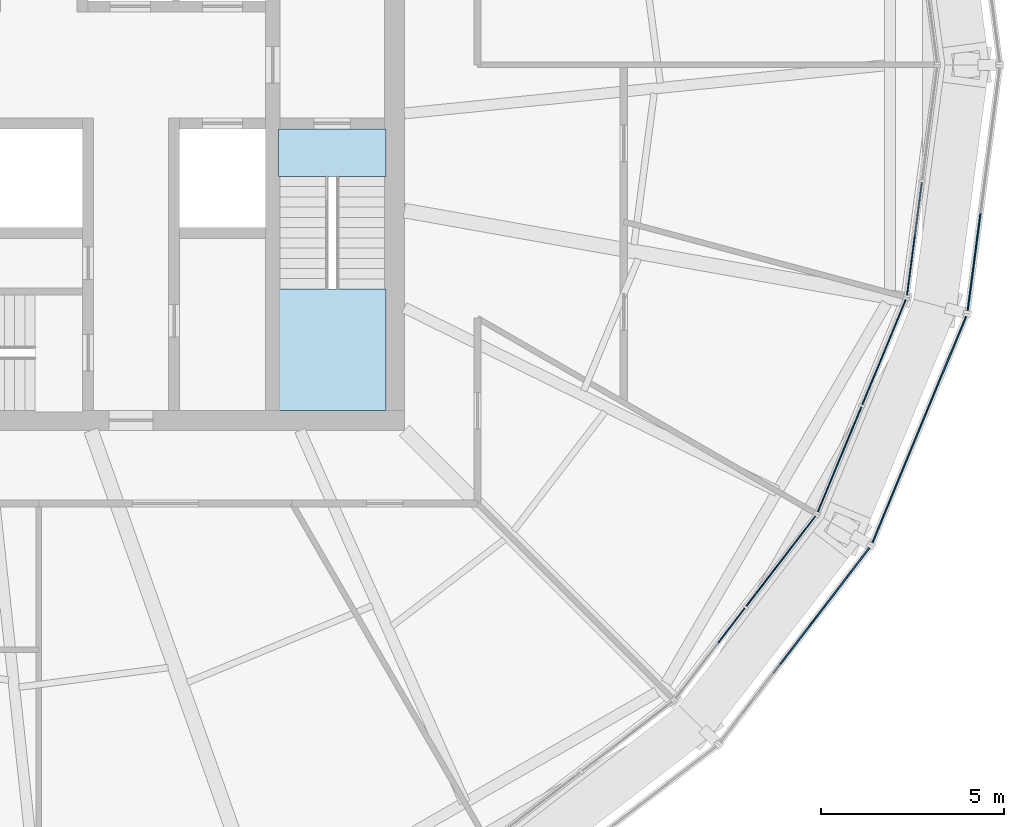
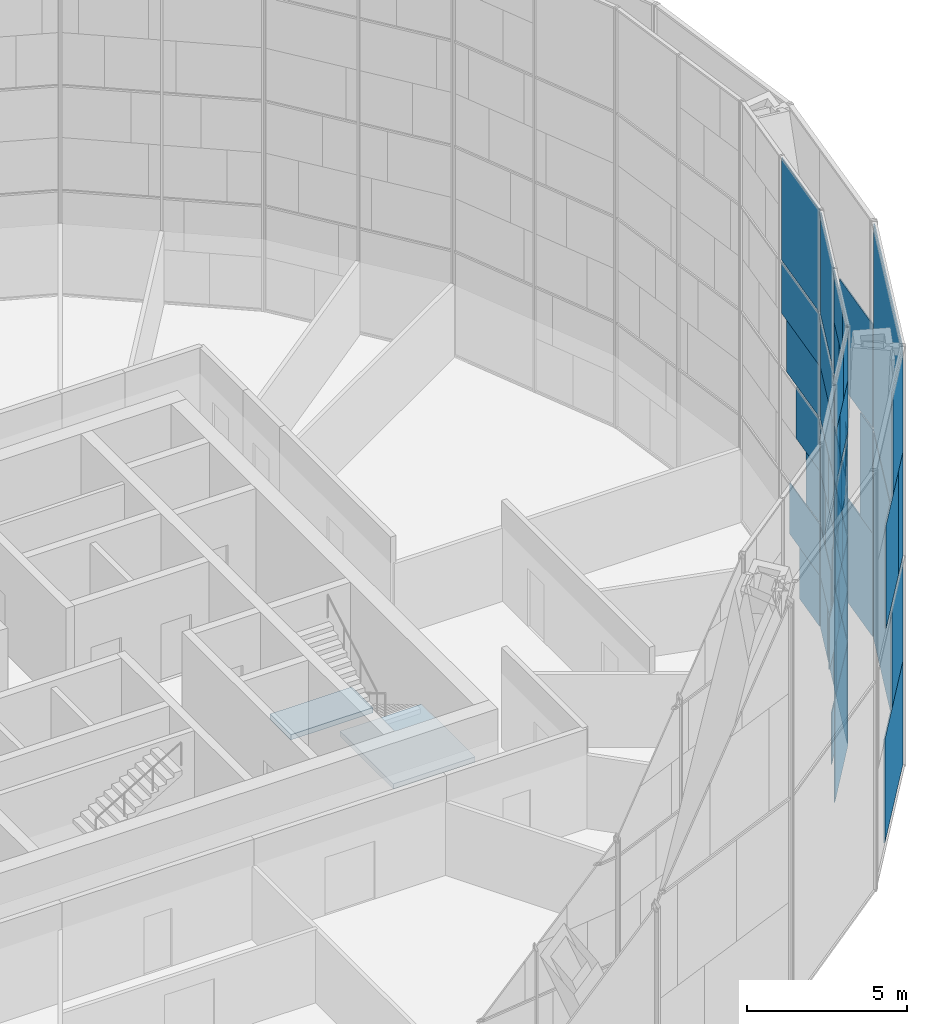
# One storey, part 19 of 30: 59 plates, 2 slabs, 7 elements without a shape of their own.
"""IFC4 building model written with IfcOpenShell, lengths in metres."""

from ifc_helpers import new_model, si_unit, direction, frame, origin, origin_2d, place, context, subcontext, project, spatial, polyline, rectangle, outline, extrude, material, layer, layer_set, type_object, element, aggregate, save


model = new_model("IFC4")

# Units and contexts
model_context = context("Model", 3, precision=1e-05, world=origin(), true_north=direction((0.0, 1.0)))
body_context = subcontext(model_context, "Body", "Model", "MODEL_VIEW")
ifc_project = project(units=[si_unit("LENGTHUNIT", "METRE"), si_unit("AREAUNIT", "SQUARE_METRE"), si_unit("VOLUMEUNIT", "CUBIC_METRE"), si_unit("PLANEANGLEUNIT", "RADIAN"), si_unit("MASSUNIT", "GRAM", prefix="KILO")], contexts=[model_context])

# Site, building, storey
site_placement = place(None, origin())
site = spatial("IfcSite", under=ifc_project, at=site_placement, CompositionType="ELEMENT")
building_placement = place(site_placement, origin())
building = spatial("IfcBuilding", under=site, at=building_placement, Name="Golbaran Civic Tower", CompositionType="ELEMENT")
storey_placement = place(building_placement, frame((0.0, 0.0, 102.0)))
storey = spatial("IfcBuildingStorey", under=building, at=storey_placement, Name="L24", CompositionType="ELEMENT", Elevation=102.0)

# Curtain wall, plates
ifc_material_1 = material(Name="Aluminium and glass", Category="aluminium")
curtain_wall_type_1 = type_object("IfcCurtainWallType", Name="INNER SKIN CURTAIN WALL", PredefinedType="NOTDEFINED", material=ifc_material_1)
curtain_wall_1_placement = place(storey_placement, origin())
curtain_wall_1 = element("IfcCurtainWall", 1, at=curtain_wall_1_placement, inside=storey, type_object=curtain_wall_type_1, Name="Inner skin L24 facet 22 CW1", ObjectType="INNER SKIN", PredefinedType="USERDEFINED")
ifc_material_2 = material(Name="Clear insulating glass", Category="glass")
ifc_layer_1 = layer(ifc_material_2, 0.031982421875, Name="Clear insulating glass")
ifc_layer_set_1 = layer_set([ifc_layer_1], Name="Clear insulating glass")
plate_type_1 = type_object("IfcPlateType", Name="INNER SKIN CURTAIN WALL GLAZED PANEL", PredefinedType="CURTAIN_PANEL", material=ifc_layer_set_1)
plate_1_placement = place(storey_placement, frame((19.114013671875, -15.118408203125, 2.016357421875), z_axis=(0.0, 0.0, 1.0), x_axis=(0.608761428995, 0.793353340302, 0.0)))
plate_1 = element("IfcPlate", 2, at=plate_1_placement, type_object=plate_type_1, Name="CW1 panel 1.1 part 4", PredefinedType="CURTAIN_PANEL", context=body_context, shape_type="SweptSolid", body=[
    extrude(rectangle(XDim=0.651611328125, YDim=0.031982421875, at=origin_2d()), origin(), (0.0, 0.0, 1.0), 1.951171875),
])
plate_2_placement = place(storey_placement, frame((20.298828125, -13.574462890625, 0.06494140625), z_axis=(0.0, 0.0, 1.0), x_axis=(0.608761428995, 0.793353340302, 0.0)))
plate_2 = element("IfcPlate", 3, at=plate_2_placement, type_object=plate_type_1, Name="CW1 panel 2.1", PredefinedType="CURTAIN_PANEL", context=body_context, shape_type="SweptSolid", body=[
    extrude(rectangle(XDim=3.110595703125, YDim=0.031982421875, at=origin_2d()), origin(), (0.0, 0.0, 1.0), 3.902587890625),
])
plate_3_placement = place(storey_placement, frame((20.4208984375, -13.415283203125, 4.03271484375), z_axis=(0.0, 0.0, 1.0), x_axis=(0.608761428995, 0.793353340302, 0.0)))
plate_3 = element("IfcPlate", 4, at=plate_3_placement, type_object=plate_type_1, Name="CW1 panel 2.2 part 2", PredefinedType="CURTAIN_PANEL", context=body_context, shape_type="SweptSolid", body=[
    extrude(rectangle(XDim=2.70947265625, YDim=0.031982421875, at=origin_2d()), origin(), (0.0, 0.0, 1.0), 1.967529296875),
])
plate_4_placement = place(storey_placement, frame((20.5849609375, -13.20166015625, 6.0), z_axis=(0.0, 0.0, 1.0), x_axis=(0.608761428995, 0.793353340302, 0.0)))
plate_4 = element("IfcPlate", 5, at=plate_4_placement, type_object=plate_type_1, Name="CW1 panel 2.2 part 4", PredefinedType="CURTAIN_PANEL", context=body_context, shape_type="SweptSolid", body=[
    extrude(rectangle(XDim=2.170654296875, YDim=0.031982421875, at=origin_2d()), origin(), (0.0, 0.0, 1.0), 1.967529296875),
])
plate_5_placement = place(storey_placement, frame((20.84130859375, -12.86767578125, 8.03271484375), z_axis=(0.0, 0.0, 1.0), x_axis=(0.608761428995, 0.793353340302, 0.0)))
plate_5 = element("IfcPlate", 6, at=plate_5_placement, type_object=plate_type_1, Name="CW1 panel 2.3 part 2", PredefinedType="CURTAIN_PANEL", context=body_context, shape_type="SweptSolid", body=[
    extrude(rectangle(XDim=1.32861328125, YDim=0.031982421875, at=origin_2d()), origin(), (0.0, 0.0, 1.0), 1.967529296875),
])
plate_6_placement = place(storey_placement, frame((19.473876953125, -14.649658203125, 10.0), z_axis=(0.0, 0.0, 1.0), x_axis=(0.608761428995, 0.793353340302, 0.0)))
plate_6 = element("IfcPlate", 7, at=plate_6_placement, type_object=plate_type_1, Name="CW1 panel 2.3 part 3", PredefinedType="CURTAIN_PANEL", context=body_context, shape_type="SweptSolid", body=[
    extrude(rectangle(XDim=0.39990234375, YDim=0.031982421875, at=origin_2d()), origin(), (0.0, 0.0, 1.0), 1.967529296875),
])
plate_7_placement = place(storey_placement, frame((21.08935546875, -12.544189453125, 10.0), z_axis=(0.0, 0.0, 1.0), x_axis=(0.608761428995, 0.793353340302, 0.0)))
plate_7 = element("IfcPlate", 8, at=plate_7_placement, type_object=plate_type_1, Name="CW1 panel 2.3 part 5", PredefinedType="CURTAIN_PANEL", context=body_context, shape_type="SweptSolid", body=[
    extrude(rectangle(XDim=0.513671875, YDim=0.031982421875, at=origin_2d()), origin(), (0.0, 0.0, 1.0), 1.967529296875),
])
plate_8_placement = place(storey_placement, frame((19.72998046875, -14.315673828125, 12.032470703125), z_axis=(0.0, 0.0, 1.0), x_axis=(0.608761428995, 0.793353340302, 0.0)))
plate_8 = element("IfcPlate", 9, at=plate_8_placement, type_object=plate_type_1, Name="CW1 panel 2.4 part 1", PredefinedType="CURTAIN_PANEL", context=body_context, shape_type="SweptSolid", body=[
    extrude(rectangle(XDim=1.241943359375, YDim=0.031982421875, at=origin_2d()), origin(), (0.0, 0.0, 1.0), 1.951171875),
])
plate_9_placement = place(storey_placement, frame((19.97607421875, -13.9951171875, 13.98388671875), z_axis=(0.0, 0.0, 1.0), x_axis=(0.608761428995, 0.793353340302, 0.0)))
plate_9 = element("IfcPlate", 10, at=plate_9_placement, type_object=plate_type_1, Name="CW1 panel 2.4 part 3", PredefinedType="CURTAIN_PANEL", context=body_context, shape_type="SweptSolid", body=[
    extrude(rectangle(XDim=2.050048828125, YDim=0.031982421875, at=origin_2d()), origin(), (0.0, 0.0, 1.0), 1.951171875),
])

curtain_wall_2_placement = place(storey_placement, origin())
curtain_wall_2 = element("IfcCurtainWall", 11, at=curtain_wall_2_placement, inside=storey, type_object=curtain_wall_type_1, Name="Inner skin L24 facet 23 CW1", ObjectType="INNER SKIN", PredefinedType="USERDEFINED")
plate_10_placement = place(storey_placement, frame((21.9052734375, -10.7919921875, 0.06494140625), z_axis=(0.0, 0.0, 1.0), x_axis=(0.382683432478, 0.923879532465, 0.0)))
plate_10 = element("IfcPlate", 12, at=plate_10_placement, type_object=plate_type_1, Name="CW1 panel 1.1", PredefinedType="CURTAIN_PANEL", context=body_context, shape_type="SweptSolid", body=[
    extrude(rectangle(XDim=3.110595703125, YDim=0.031982421875, at=origin_2d()), origin(), (0.0, 0.0, 1.0), 3.902587890625),
])
plate_11_placement = place(storey_placement, frame((21.828369140625, -10.9775390625, 4.03271484375), z_axis=(0.0, 0.0, 1.0), x_axis=(0.382683432478, 0.923879532465, 0.0)))
plate_11 = element("IfcPlate", 13, at=plate_11_placement, type_object=plate_type_1, Name="CW1 panel 1.2 part 1", PredefinedType="CURTAIN_PANEL", context=body_context, shape_type="SweptSolid", body=[
    extrude(rectangle(XDim=2.708984375, YDim=0.031982421875, at=origin_2d()), origin(), (0.0, 0.0, 1.0), 1.967529296875),
])
plate_12_placement = place(storey_placement, frame((21.725341796875, -11.22607421875, 6.0), z_axis=(0.0, 0.0, 1.0), x_axis=(0.382683432478, 0.923879532465, 0.0)))
plate_12 = element("IfcPlate", 14, at=plate_12_placement, type_object=plate_type_1, Name="CW1 panel 1.2 part 3", PredefinedType="CURTAIN_PANEL", context=body_context, shape_type="SweptSolid", body=[
    extrude(rectangle(XDim=2.1708984375, YDim=0.031982421875, at=origin_2d()), origin(), (0.0, 0.0, 1.0), 1.967529296875),
])
plate_13_placement = place(storey_placement, frame((21.564453125, -11.614990234375, 8.03271484375), z_axis=(0.0, 0.0, 1.0), x_axis=(0.382683432478, 0.923879532465, 0.0)))
plate_13 = element("IfcPlate", 15, at=plate_13_placement, type_object=plate_type_1, Name="CW1 panel 1.3 part 1", PredefinedType="CURTAIN_PANEL", context=body_context, shape_type="SweptSolid", body=[
    extrude(rectangle(XDim=1.3291015625, YDim=0.031982421875, at=origin_2d()), origin(), (0.0, 0.0, 1.0), 1.967529296875),
])
plate_14_placement = place(storey_placement, frame((21.408447265625, -11.991455078125, 10.0), z_axis=(0.0, 0.0, 1.0), x_axis=(0.382683432478, 0.923879532465, 0.0)))
plate_14 = element("IfcPlate", 16, at=plate_14_placement, type_object=plate_type_1, Name="CW1 panel 1.3 part 3", PredefinedType="CURTAIN_PANEL", context=body_context, shape_type="SweptSolid", body=[
    extrude(rectangle(XDim=0.513916015625, YDim=0.031982421875, at=origin_2d()), origin(), (0.0, 0.0, 1.0), 1.967529296875),
])
plate_15_placement = place(storey_placement, frame((22.262939453125, -9.9287109375, 12.032470703125), z_axis=(0.0, 0.0, 1.0), x_axis=(0.382683432478, 0.923879532465, 0.0)))
plate_15 = element("IfcPlate", 17, at=plate_15_placement, type_object=plate_type_1, Name="CW1 panel 1.4 part 2", PredefinedType="CURTAIN_PANEL", context=body_context, shape_type="SweptSolid", body=[
    extrude(rectangle(XDim=1.241455078125, YDim=0.031982421875, at=origin_2d()), origin(), (0.0, 0.0, 1.0), 1.951171875),
])
plate_16_placement = place(storey_placement, frame((22.108154296875, -10.302001953125, 13.98388671875), z_axis=(0.0, 0.0, 1.0), x_axis=(0.382683432478, 0.923879532465, 0.0)))
plate_16 = element("IfcPlate", 18, at=plate_16_placement, type_object=plate_type_1, Name="CW1 panel 1.4 part 4", PredefinedType="CURTAIN_PANEL", context=body_context, shape_type="SweptSolid", body=[
    extrude(rectangle(XDim=2.049560546875, YDim=0.031982421875, at=origin_2d()), origin(), (0.0, 0.0, 1.0), 1.951171875),
])
plate_17_placement = place(storey_placement, frame((22.8046875, -8.62060546875, 0.06494140625), z_axis=(0.0, 0.0, 1.0), x_axis=(0.382683432478, 0.923879532465, 0.0)))
plate_17 = element("IfcPlate", 19, at=plate_17_placement, type_object=plate_type_1, Name="CW1 panel 2.1 part 1", PredefinedType="CURTAIN_PANEL", context=body_context, shape_type="SweptSolid", body=[
    extrude(rectangle(XDim=1.4599609375, YDim=0.031982421875, at=origin_2d()), origin(), (0.0, 0.0, 1.0), 1.951171875),
])
plate_18_placement = place(storey_placement, frame((22.650146484375, -8.993896484375, 2.016357421875), z_axis=(0.0, 0.0, 1.0), x_axis=(0.382683432478, 0.923879532465, 0.0)))
plate_18 = element("IfcPlate", 20, at=plate_18_placement, type_object=plate_type_1, Name="CW1 panel 2.1 part 3", PredefinedType="CURTAIN_PANEL", context=body_context, shape_type="SweptSolid", body=[
    extrude(rectangle(XDim=0.652099609375, YDim=0.031982421875, at=origin_2d()), origin(), (0.0, 0.0, 1.0), 1.951171875),
])
plate_19_placement = place(storey_placement, frame((23.50439453125, -6.93115234375, 4.03271484375), z_axis=(0.0, 0.0, 1.0), x_axis=(0.382683432478, 0.923879532465, 0.0)))
plate_19 = element("IfcPlate", 21, at=plate_19_placement, type_object=plate_type_1, Name="CW1 panel 2.2 part 2", PredefinedType="CURTAIN_PANEL", context=body_context, shape_type="SweptSolid", body=[
    extrude(rectangle(XDim=1.103515625, YDim=0.031982421875, at=origin_2d()), origin(), (0.0, 0.0, 1.0), 1.967529296875),
])
plate_20_placement = place(storey_placement, frame((23.3486328125, -7.3076171875, 6.0), z_axis=(0.0, 0.0, 1.0), x_axis=(0.382683432478, 0.923879532465, 0.0)))
plate_20 = element("IfcPlate", 22, at=plate_20_placement, type_object=plate_type_1, Name="CW1 panel 2.2 part 4", PredefinedType="CURTAIN_PANEL", context=body_context, shape_type="SweptSolid", body=[
    extrude(rectangle(XDim=1.91845703125, YDim=0.031982421875, at=origin_2d()), origin(), (0.0, 0.0, 1.0), 1.967529296875),
])
plate_21_placement = place(storey_placement, frame((23.197021484375, -7.67333984375, 8.03271484375), z_axis=(0.0, 0.0, 1.0), x_axis=(0.382683432478, 0.923879532465, 0.0)))
plate_21 = element("IfcPlate", 23, at=plate_21_placement, type_object=plate_type_1, Name="CW1 panel 2.3 part 2", PredefinedType="CURTAIN_PANEL", context=body_context, shape_type="SweptSolid", body=[
    extrude(rectangle(XDim=2.710693359375, YDim=0.031982421875, at=origin_2d()), origin(), (0.0, 0.0, 1.0), 1.967529296875),
])
plate_22_placement = place(storey_placement, frame((23.120361328125, -7.858154296875, 10.0), z_axis=(0.0, 0.0, 1.0), x_axis=(0.382683432478, 0.923879532465, 0.0)))
plate_22 = element("IfcPlate", 24, at=plate_22_placement, type_object=plate_type_1, Name="CW1 panel 2.3 part 3", PredefinedType="CURTAIN_PANEL", context=body_context, shape_type="SweptSolid", body=[
    extrude(rectangle(XDim=3.110595703125, YDim=0.031982421875, at=origin_2d()), origin(), (0.0, 0.0, 1.0), 1.967529296875),
])
plate_23_placement = place(storey_placement, frame((23.120361328125, -7.858154296875, 12.0322265625), z_axis=(0.0, 0.0, 1.0), x_axis=(0.382683432478, 0.923879532465, 0.0)))
plate_23 = element("IfcPlate", 25, at=plate_23_placement, type_object=plate_type_1, Name="CW1 panel 2.4", PredefinedType="CURTAIN_PANEL", context=body_context, shape_type="SweptSolid", body=[
    extrude(rectangle(XDim=3.110595703125, YDim=0.031982421875, at=origin_2d()), origin(), (0.0, 0.0, 1.0), 3.902587890625),
])

curtain_wall_3_placement = place(storey_placement, origin())
curtain_wall_3 = element("IfcCurtainWall", 26, at=curtain_wall_3_placement, inside=storey, type_object=curtain_wall_type_1, Name="Inner skin L24 facet 24 CW1", ObjectType="INNER SKIN", PredefinedType="USERDEFINED")
plate_24_placement = place(storey_placement, frame((23.821044921875, -5.74951171875, 4.03271484375), z_axis=(0.0, 0.0, 1.0), x_axis=(0.130526192134, 0.991444861385, 0.0)))
plate_24 = element("IfcPlate", 27, at=plate_24_placement, type_object=plate_type_1, Name="CW1 panel 1.2 part 1", PredefinedType="CURTAIN_PANEL", context=body_context, shape_type="SweptSolid", body=[
    extrude(rectangle(XDim=1.10400390625, YDim=0.031982421875, at=origin_2d()), origin(), (0.0, 0.0, 1.0), 1.967529296875),
])
plate_25_placement = place(storey_placement, frame((23.874267578125, -5.345458984375, 6.0), z_axis=(0.0, 0.0, 1.0), x_axis=(0.130526192134, 0.991444861385, 0.0)))
plate_25 = element("IfcPlate", 28, at=plate_25_placement, type_object=plate_type_1, Name="CW1 panel 1.2 part 3", PredefinedType="CURTAIN_PANEL", context=body_context, shape_type="SweptSolid", body=[
    extrude(rectangle(XDim=1.9189453125, YDim=0.031982421875, at=origin_2d()), origin(), (0.0, 0.0, 1.0), 1.967529296875),
])
plate_26_placement = place(storey_placement, frame((23.92578125, -4.953857421875, 8.03271484375), z_axis=(0.0, 0.0, 1.0), x_axis=(0.130526192134, 0.991444861385, 0.0)))
plate_26 = element("IfcPlate", 29, at=plate_26_placement, type_object=plate_type_1, Name="CW1 panel 1.3 part 1", PredefinedType="CURTAIN_PANEL", context=body_context, shape_type="SweptSolid", body=[
    extrude(rectangle(XDim=2.708984375, YDim=0.031982421875, at=origin_2d()), origin(), (0.0, 0.0, 1.0), 1.967529296875),
])
plate_27_placement = place(storey_placement, frame((23.951904296875, -4.7548828125, 10.0), z_axis=(0.0, 0.0, 1.0), x_axis=(0.130526192134, 0.991444861385, 0.0)))
plate_27 = element("IfcPlate", 30, at=plate_27_placement, type_object=plate_type_1, Name="CW1 panel 1.3 part 3", PredefinedType="CURTAIN_PANEL", context=body_context, shape_type="SweptSolid", body=[
    extrude(rectangle(XDim=3.110595703125, YDim=0.031982421875, at=origin_2d()), origin(), (0.0, 0.0, 1.0), 1.967529296875),
])
plate_28_placement = place(storey_placement, frame((23.951904296875, -4.7548828125, 12.0322265625), z_axis=(0.0, 0.0, 1.0), x_axis=(0.130526192134, 0.991444861385, 0.0)))
plate_28 = element("IfcPlate", 31, at=plate_28_placement, type_object=plate_type_1, Name="CW1 panel 1.4", PredefinedType="CURTAIN_PANEL", context=body_context, shape_type="SweptSolid", body=[
    extrude(rectangle(XDim=3.110595703125, YDim=0.031982421875, at=origin_2d()), origin(), (0.0, 0.0, 1.0), 3.902587890625),
])

# Plate
ifc_material_3 = material(Name="Aluminium faced opaque infill panel", Category="aluminium")
ifc_layer_2 = layer(ifc_material_3, 0.031982421875, Name="Aluminium faced opaque infill panel")
ifc_layer_set_2 = layer_set([ifc_layer_2], Name="Aluminium faced opaque infill panel")
plate_type_2 = type_object("IfcPlateType", Name="INNER SKIN CURTAIN WALL OPAQUE INFILL PANEL", PredefinedType="CURTAIN_PANEL", material=ifc_layer_set_2)
plate_29_placement = place(storey_placement, frame((18.94970703125, -15.33251953125, 6.0), z_axis=(0.0, 0.0, 1.0), x_axis=(0.608761428995, 0.793353340302, 0.0)))
plate_29 = element("IfcPlate", 32, at=plate_29_placement, type_object=plate_type_2, Name="CW1 infill panel 1.2 part 4", PredefinedType="CURTAIN_PANEL", context=body_context, shape_type="SweptSolid", body=[
    extrude(rectangle(XDim=1.191650390625, YDim=0.031982421875, at=origin_2d()), origin(), (0.0, 0.0, 1.0), 1.967529296875),
])

plate_30_placement = place(storey_placement, frame((19.190185546875, -15.019287109375, 8.03271484375), z_axis=(0.0, 0.0, 1.0), x_axis=(0.608761428995, 0.793353340302, 0.0)))
plate_30 = element("IfcPlate", 33, at=plate_30_placement, type_object=plate_type_2, Name="CW1 infill panel 1.3 part 2", PredefinedType="CURTAIN_PANEL", context=body_context, shape_type="SweptSolid", body=[
    extrude(rectangle(XDim=0.401611328125, YDim=0.031982421875, at=origin_2d()), origin(), (0.0, 0.0, 1.0), 1.967529296875),
])

plate_31_placement = place(storey_placement, frame((19.47412109375, -14.649169921875, 4.03271484375), z_axis=(0.0, 0.0, 1.0), x_axis=(0.608761428995, 0.793353340302, 0.0)))
plate_31 = element("IfcPlate", 34, at=plate_31_placement, type_object=plate_type_2, Name="CW1 infill panel 2.2 part 1", PredefinedType="CURTAIN_PANEL", context=body_context, shape_type="SweptSolid", body=[
    extrude(rectangle(XDim=0.40087890625, YDim=0.031982421875, at=origin_2d()), origin(), (0.0, 0.0, 1.0), 1.967529296875),
])

plate_32_placement = place(storey_placement, frame((19.63818359375, -14.435546875, 6.0), z_axis=(0.0, 0.0, 1.0), x_axis=(0.608761428995, 0.793353340302, 0.0)))
plate_32 = element("IfcPlate", 35, at=plate_32_placement, type_object=plate_type_2, Name="CW1 infill panel 2.2 part 3", PredefinedType="CURTAIN_PANEL", context=body_context, shape_type="SweptSolid", body=[
    extrude(rectangle(XDim=0.93994140625, YDim=0.031982421875, at=origin_2d()), origin(), (0.0, 0.0, 1.0), 1.967529296875),
])

plate_33_placement = place(storey_placement, frame((19.89453125, -14.1015625, 8.03271484375), z_axis=(0.0, 0.0, 1.0), x_axis=(0.608761428995, 0.793353340302, 0.0)))
plate_33 = element("IfcPlate", 36, at=plate_33_placement, type_object=plate_type_2, Name="CW1 infill panel 2.3 part 1", PredefinedType="CURTAIN_PANEL", context=body_context, shape_type="SweptSolid", body=[
    extrude(rectangle(XDim=1.781982421875, YDim=0.031982421875, at=origin_2d()), origin(), (0.0, 0.0, 1.0), 1.967529296875),
])

plate_34_placement = place(storey_placement, frame((20.26416015625, -13.61962890625, 10.0), z_axis=(0.0, 0.0, 1.0), x_axis=(0.608761428995, 0.793353340302, 0.0)))
plate_34 = element("IfcPlate", 37, at=plate_34_placement, type_object=plate_type_2, Name="CW1 infill panel 2.3 part 4", PredefinedType="CURTAIN_PANEL", context=body_context, shape_type="SweptSolid", body=[
    extrude(rectangle(XDim=2.197021484375, YDim=0.031982421875, at=origin_2d()), origin(), (0.0, 0.0, 1.0), 1.967529296875),
])

plate_35_placement = place(storey_placement, frame((20.6767578125, -13.081787109375, 12.032470703125), z_axis=(0.0, 0.0, 1.0), x_axis=(0.608761428995, 0.793353340302, 0.0)))
plate_35 = element("IfcPlate", 38, at=plate_35_placement, type_object=plate_type_2, Name="CW1 infill panel 2.4 part 2", PredefinedType="CURTAIN_PANEL", context=body_context, shape_type="SweptSolid", body=[
    extrude(rectangle(XDim=1.86865234375, YDim=0.031982421875, at=origin_2d()), origin(), (0.0, 0.0, 1.0), 1.951171875),
])

plate_36_placement = place(storey_placement, frame((20.9228515625, -12.76123046875, 13.98388671875), z_axis=(0.0, 0.0, 1.0), x_axis=(0.608761428995, 0.793353340302, 0.0)))
plate_36 = element("IfcPlate", 39, at=plate_36_placement, type_object=plate_type_2, Name="CW1 infill panel 2.4 part 4", PredefinedType="CURTAIN_PANEL", context=body_context, shape_type="SweptSolid", body=[
    extrude(rectangle(XDim=1.060546875, YDim=0.031982421875, at=origin_2d()), origin(), (0.0, 0.0, 1.0), 1.951171875),
])

aggregate(curtain_wall_1, [plate_1, plate_29, plate_30, plate_2, plate_31, plate_3, plate_32, plate_4, plate_33, plate_5, plate_6, plate_34, plate_7, plate_8, plate_35, plate_9, plate_36])

plate_37_placement = place(storey_placement, frame((22.423583984375, -9.540771484375, 4.03271484375), z_axis=(0.0, 0.0, 1.0), x_axis=(0.382683432478, 0.923879532465, 0.0)))
plate_37 = element("IfcPlate", 40, at=plate_37_placement, type_object=plate_type_2, Name="CW1 infill panel 1.2 part 2", PredefinedType="CURTAIN_PANEL", context=body_context, shape_type="SweptSolid", body=[
    extrude(rectangle(XDim=0.401611328125, YDim=0.031982421875, at=origin_2d()), origin(), (0.0, 0.0, 1.0), 1.967529296875),
])

plate_38_placement = place(storey_placement, frame((22.320556640625, -9.7890625, 6.0), z_axis=(0.0, 0.0, 1.0), x_axis=(0.382683432478, 0.923879532465, 0.0)))
plate_38 = element("IfcPlate", 41, at=plate_38_placement, type_object=plate_type_2, Name="CW1 infill panel 1.2 part 4", PredefinedType="CURTAIN_PANEL", context=body_context, shape_type="SweptSolid", body=[
    extrude(rectangle(XDim=0.939453125, YDim=0.031982421875, at=origin_2d()), origin(), (0.0, 0.0, 1.0), 1.967529296875),
])

plate_39_placement = place(storey_placement, frame((22.159423828125, -10.17822265625, 8.03271484375), z_axis=(0.0, 0.0, 1.0), x_axis=(0.382683432478, 0.923879532465, 0.0)))
plate_39 = element("IfcPlate", 42, at=plate_39_placement, type_object=plate_type_2, Name="CW1 infill panel 1.3 part 2", PredefinedType="CURTAIN_PANEL", context=body_context, shape_type="SweptSolid", body=[
    extrude(rectangle(XDim=1.781494140625, YDim=0.031982421875, at=origin_2d()), origin(), (0.0, 0.0, 1.0), 1.967529296875),
])

plate_40_placement = place(storey_placement, frame((22.003662109375, -10.5546875, 10.0), z_axis=(0.0, 0.0, 1.0), x_axis=(0.382683432478, 0.923879532465, 0.0)))
plate_40 = element("IfcPlate", 43, at=plate_40_placement, type_object=plate_type_2, Name="CW1 infill panel 1.3 part 4", PredefinedType="CURTAIN_PANEL", context=body_context, shape_type="SweptSolid", body=[
    extrude(rectangle(XDim=2.5966796875, YDim=0.031982421875, at=origin_2d()), origin(), (0.0, 0.0, 1.0), 1.967529296875),
])

plate_41_placement = place(storey_placement, frame((21.667724609375, -11.365478515625, 12.032470703125), z_axis=(0.0, 0.0, 1.0), x_axis=(0.382683432478, 0.923879532465, 0.0)))
plate_41 = element("IfcPlate", 44, at=plate_41_placement, type_object=plate_type_2, Name="CW1 infill panel 1.4 part 1", PredefinedType="CURTAIN_PANEL", context=body_context, shape_type="SweptSolid", body=[
    extrude(rectangle(XDim=1.868896484375, YDim=0.031982421875, at=origin_2d()), origin(), (0.0, 0.0, 1.0), 1.951171875),
])

plate_42_placement = place(storey_placement, frame((21.512939453125, -11.73876953125, 13.98388671875), z_axis=(0.0, 0.0, 1.0), x_axis=(0.382683432478, 0.923879532465, 0.0)))
plate_42 = element("IfcPlate", 45, at=plate_42_placement, type_object=plate_type_2, Name="CW1 infill panel 1.4 part 3", PredefinedType="CURTAIN_PANEL", context=body_context, shape_type="SweptSolid", body=[
    extrude(rectangle(XDim=1.06103515625, YDim=0.031982421875, at=origin_2d()), origin(), (0.0, 0.0, 1.0), 1.951171875),
])

plate_43_placement = place(storey_placement, frame((23.39990234375, -7.183837890625, 0.06494140625), z_axis=(0.0, 0.0, 1.0), x_axis=(0.382683432478, 0.923879532465, 0.0)))
plate_43 = element("IfcPlate", 46, at=plate_43_placement, type_object=plate_type_2, Name="CW1 infill panel 2.1 part 2", PredefinedType="CURTAIN_PANEL", context=body_context, shape_type="SweptSolid", body=[
    extrude(rectangle(XDim=1.650634765625, YDim=0.031982421875, at=origin_2d()), origin(), (0.0, 0.0, 1.0), 1.951171875),
])

plate_44_placement = place(storey_placement, frame((23.2451171875, -7.55712890625, 2.016357421875), z_axis=(0.0, 0.0, 1.0), x_axis=(0.382683432478, 0.923879532465, 0.0)))
plate_44 = element("IfcPlate", 47, at=plate_44_placement, type_object=plate_type_2, Name="CW1 infill panel 2.1 part 4", PredefinedType="CURTAIN_PANEL", context=body_context, shape_type="SweptSolid", body=[
    extrude(rectangle(XDim=2.45849609375, YDim=0.031982421875, at=origin_2d()), origin(), (0.0, 0.0, 1.0), 1.951171875),
])

plate_45_placement = place(storey_placement, frame((22.909423828125, -8.367919921875, 4.03271484375), z_axis=(0.0, 0.0, 1.0), x_axis=(0.382683432478, 0.923879532465, 0.0)))
plate_45 = element("IfcPlate", 48, at=plate_45_placement, type_object=plate_type_2, Name="CW1 infill panel 2.2 part 1", PredefinedType="CURTAIN_PANEL", context=body_context, shape_type="SweptSolid", body=[
    extrude(rectangle(XDim=2.007080078125, YDim=0.031982421875, at=origin_2d()), origin(), (0.0, 0.0, 1.0), 1.967529296875),
])

plate_46_placement = place(storey_placement, frame((22.75341796875, -8.744384765625, 6.0), z_axis=(0.0, 0.0, 1.0), x_axis=(0.382683432478, 0.923879532465, 0.0)))
plate_46 = element("IfcPlate", 49, at=plate_46_placement, type_object=plate_type_2, Name="CW1 infill panel 2.2 part 3", PredefinedType="CURTAIN_PANEL", context=body_context, shape_type="SweptSolid", body=[
    extrude(rectangle(XDim=1.19189453125, YDim=0.031982421875, at=origin_2d()), origin(), (0.0, 0.0, 1.0), 1.967529296875),
])

plate_47_placement = place(storey_placement, frame((22.601806640625, -9.1103515625, 8.03271484375), z_axis=(0.0, 0.0, 1.0), x_axis=(0.382683432478, 0.923879532465, 0.0)))
plate_47 = element("IfcPlate", 50, at=plate_47_placement, type_object=plate_type_2, Name="CW1 infill panel 2.3 part 1", PredefinedType="CURTAIN_PANEL", context=body_context, shape_type="SweptSolid", body=[
    extrude(rectangle(XDim=0.39990234375, YDim=0.031982421875, at=origin_2d()), origin(), (0.0, 0.0, 1.0), 1.967529296875),
])

aggregate(curtain_wall_2, [plate_10, plate_11, plate_37, plate_12, plate_38, plate_13, plate_39, plate_14, plate_40, plate_41, plate_15, plate_42, plate_16, plate_17, plate_43, plate_18, plate_44, plate_45, plate_19, plate_46, plate_20, plate_47, plate_21, plate_22, plate_23])

plate_48_placement = place(storey_placement, frame((23.856689453125, -5.478759765625, 0.06494140625), z_axis=(0.0, 0.0, 1.0), x_axis=(0.130526192134, 0.991444861385, 0.0)))
plate_48 = element("IfcPlate", 51, at=plate_48_placement, type_object=plate_type_2, Name="CW1 infill panel 1.1 part 1", PredefinedType="CURTAIN_PANEL", context=body_context, shape_type="SweptSolid", body=[
    extrude(rectangle(XDim=1.64990234375, YDim=0.031982421875, at=origin_2d()), origin(), (0.0, 0.0, 1.0), 1.951171875),
])

plate_49_placement = place(storey_placement, frame((23.909423828125, -5.077880859375, 2.016357421875), z_axis=(0.0, 0.0, 1.0), x_axis=(0.130526192134, 0.991444861385, 0.0)))
plate_49 = element("IfcPlate", 52, at=plate_49_placement, type_object=plate_type_2, Name="CW1 infill panel 1.1 part 3", PredefinedType="CURTAIN_PANEL", context=body_context, shape_type="SweptSolid", body=[
    extrude(rectangle(XDim=2.458984375, YDim=0.031982421875, at=origin_2d()), origin(), (0.0, 0.0, 1.0), 1.951171875),
])

aggregate(curtain_wall_3, [plate_48, plate_49, plate_24, plate_25, plate_26, plate_27, plate_28])

# Curtain wall, plates
curtain_wall_type_2 = type_object("IfcCurtainWallType", Name="OUTER SKIN TERRACOTTA SCREEN", PredefinedType="NOTDEFINED", material=ifc_material_1)
curtain_wall_4_placement = place(storey_placement, origin())
curtain_wall_4 = element("IfcCurtainWall", 53, at=curtain_wall_4_placement, inside=storey, type_object=curtain_wall_type_2, Name="Outer skin L24 facet 22 CW3", ObjectType="OUTER SKIN", PredefinedType="USERDEFINED")
ifc_material_4 = material(Name="Clear laminated glass", Category="glass")
ifc_layer_3 = layer(ifc_material_4, 0.0400390625, Name="Clear laminated glass")
ifc_layer_set_3 = layer_set([ifc_layer_3], Name="Clear laminated glass")
plate_type_3 = type_object("IfcPlateType", Name="OUTER SKIN CLEAR GLASS PANEL", PredefinedType="CURTAIN_PANEL", material=ifc_layer_set_3)
plate_50_placement = place(storey_placement, frame((21.41015625, -14.919189453125, -0.6298828125), z_axis=(0.0, 0.0, 1.0), x_axis=(0.608761428995, 0.793353340302, 0.0)))
plate_50 = element("IfcPlate", 54, at=plate_50_placement, type_object=plate_type_3, Name="CW3 panel 1.1 part 2", PredefinedType="CURTAIN_PANEL", context=body_context, shape_type="SweptSolid", body=[
    extrude(rectangle(XDim=4.308837890625, YDim=0.0400390625, at=origin_2d()), origin(), (0.0, 0.0, 1.0), 3.93994140625),
])
plate_51_placement = place(storey_placement, frame((21.906982421875, -14.271728515625, 3.31005859375), z_axis=(0.0, 0.0, 1.0), x_axis=(0.608761428995, 0.793353340302, 0.0)))
plate_51 = element("IfcPlate", 55, at=plate_51_placement, type_object=plate_type_3, Name="CW3 panel 1.1 part 5", PredefinedType="CURTAIN_PANEL", context=body_context, shape_type="SweptSolid", body=[
    extrude(rectangle(XDim=2.6767578125, YDim=0.0400390625, at=origin_2d()), origin(), (0.0, 0.0, 1.0), 3.93994140625),
])
plate_52_placement = place(storey_placement, frame((22.413818359375, -13.611328125, 7.330078125), z_axis=(0.0, 0.0, 1.0), x_axis=(0.608761428995, 0.793353340302, 0.0)))
plate_52 = element("IfcPlate", 56, at=plate_52_placement, type_object=plate_type_3, Name="CW3 panel 1.2 part 3", PredefinedType="CURTAIN_PANEL", context=body_context, shape_type="SweptSolid", body=[
    extrude(rectangle(XDim=1.011962890625, YDim=0.0400390625, at=origin_2d()), origin(), (0.0, 0.0, 1.0), 3.93994140625),
])

curtain_wall_5_placement = place(storey_placement, origin())
curtain_wall_5 = element("IfcCurtainWall", 57, at=curtain_wall_5_placement, inside=storey, type_object=curtain_wall_type_2, Name="Outer skin L24 facet 24 CW3", ObjectType="OUTER SKIN", PredefinedType="USERDEFINED")
plate_53_placement = place(storey_placement, frame((25.4736328125, -6.2236328125, 3.31005859375), z_axis=(0.0, 0.0, 1.0), x_axis=(0.130526192168, 0.991444861381, 0.0)))
plate_53 = element("IfcPlate", 58, at=plate_53_placement, type_object=plate_type_3, Name="CW3 panel 1.1 part 3", PredefinedType="CURTAIN_PANEL", context=body_context, shape_type="SweptSolid", body=[
    extrude(rectangle(XDim=1.012939453125, YDim=0.0400390625, at=origin_2d()), origin(), (0.0, 0.0, 1.0), 3.93994140625),
])
plate_54_placement = place(storey_placement, frame((25.582275390625, -5.398193359375, 7.330078125), z_axis=(0.0, 0.0, 1.0), x_axis=(0.130526192168, 0.991444861381, 0.0)))
plate_54 = element("IfcPlate", 59, at=plate_54_placement, type_object=plate_type_3, Name="CW3 panel 1.2 part 1", PredefinedType="CURTAIN_PANEL", context=body_context, shape_type="SweptSolid", body=[
    extrude(rectangle(XDim=2.677978515625, YDim=0.0400390625, at=origin_2d()), origin(), (0.0, 0.0, 1.0), 3.93994140625),
])

# Plate
ifc_material_5 = material(Name="Terracotta baguette screen", Category="masonry")
ifc_layer_4 = layer(ifc_material_5, 0.0400390625, Name="Terracotta baguette screen")
ifc_layer_set_4 = layer_set([ifc_layer_4], Name="Terracotta baguette screen")
plate_type_4 = type_object("IfcPlateType", Name="OUTER SKIN TERRACOTTA INFILL PANEL", PredefinedType="CURTAIN_PANEL", material=ifc_layer_set_4)
plate_55_placement = place(storey_placement, frame((21.188232421875, -15.208251953125, 7.330078125), z_axis=(0.0, 0.0, 1.0), x_axis=(0.608761428995, 0.793353340302, 0.0)))
plate_55 = element("IfcPlate", 60, at=plate_55_placement, type_object=plate_type_4, Name="CW3 infill panel 1.2 part 2", PredefinedType="CURTAIN_PANEL", context=body_context, shape_type="SweptSolid", body=[
    extrude(rectangle(XDim=3.013916015625, YDim=0.0400390625, at=origin_2d()), origin(), (0.0, 0.0, 1.0), 3.93994140625),
])

plate_56_placement = place(storey_placement, frame((21.9931640625, -14.15966796875, 11.27001953125), z_axis=(0.0, 0.0, 1.0), x_axis=(0.608761428995, 0.793353340302, 0.0)))
plate_56 = element("IfcPlate", 61, at=plate_56_placement, type_object=plate_type_4, Name="CW3 infill panel 1.2 part 5", PredefinedType="CURTAIN_PANEL", context=body_context, shape_type="SweptSolid", body=[
    extrude(rectangle(XDim=2.393798828125, YDim=0.0400390625, at=origin_2d()), origin(), (0.0, 0.0, 1.0), 3.93994140625),
])

aggregate(curtain_wall_4, [plate_50, plate_51, plate_55, plate_52, plate_56])

plate_57_placement = place(storey_placement, frame((25.563720703125, -5.53857421875, -0.6298828125), z_axis=(0.0, 0.0, 1.0), x_axis=(0.130526192168, 0.991444861381, 0.0)))
plate_57 = element("IfcPlate", 62, at=plate_57_placement, type_object=plate_type_4, Name="CW3 infill panel 1.1 part 1", PredefinedType="CURTAIN_PANEL", context=body_context, shape_type="SweptSolid", body=[
    extrude(rectangle(XDim=2.39501953125, YDim=0.0400390625, at=origin_2d()), origin(), (0.0, 0.0, 1.0), 3.93994140625),
])

aggregate(curtain_wall_5, [plate_57, plate_53, plate_54])

# Curtain wall, plates
curtain_wall_6_placement = place(storey_placement, origin())
curtain_wall_6 = element("IfcCurtainWall", 63, at=curtain_wall_6_placement, inside=storey, type_object=curtain_wall_type_2, Name="Outer skin L24 facet 23 CW3", ObjectType="OUTER SKIN", PredefinedType="USERDEFINED")
ifc_layer_5 = layer(ifc_material_5, 0.0400390625, Name="Terracotta baguette screen")
ifc_layer_set_5 = layer_set([ifc_layer_5], Name="Terracotta baguette screen")
plate_type_5 = type_object("IfcPlateType", Name="OUTER SKIN TERRACOTTA SCREEN PANEL", PredefinedType="CURTAIN_PANEL", material=ifc_layer_set_5)
plate_58_placement = place(storey_placement, frame((24.083740234375, -9.975830078125, -0.6298828125), z_axis=(0.0, 0.0, 1.0), x_axis=(0.382683432381, 0.923879532505, 0.0)))
plate_58 = element("IfcPlate", 64, at=plate_58_placement, type_object=plate_type_5, Name="CW3 terracotta screen panel 1.1", PredefinedType="CURTAIN_PANEL", context=body_context, shape_type="SweptSolid", body=[
    extrude(rectangle(XDim=6.703857421875, YDim=0.0400390625, at=origin_2d()), origin(), (0.0, 0.0, 1.0), 7.8798828125),
])
plate_59_placement = place(storey_placement, frame((24.083740234375, -9.975830078125, 7.330078125), z_axis=(0.0, 0.0, 1.0), x_axis=(0.382683432381, 0.923879532505, 0.0)))
plate_59 = element("IfcPlate", 65, at=plate_59_placement, type_object=plate_type_5, Name="CW3 terracotta screen panel 1.2", PredefinedType="CURTAIN_PANEL", context=body_context, shape_type="SweptSolid", body=[
    extrude(rectangle(XDim=6.703857421875, YDim=0.0400390625, at=origin_2d()), origin(), (0.0, 0.0, 1.0), 7.8798828125),
])
aggregate(curtain_wall_6, [plate_58, plate_59])

# Stair, slab
ifc_material_6 = material(Name="Concrete C35/45", Category="concrete")
stair_type = type_object("IfcStairType", Name="EXIT STAIR 2850 x 7700, 4000 RISE", PredefinedType="HALF_TURN_STAIR", material=ifc_material_6)
stair_placement = place(storey_placement, origin())
stair = element("IfcStair", 66, at=stair_placement, inside=storey, type_object=stair_type, Name="Stair S2 L24", PredefinedType="HALF_TURN_STAIR")
ifc_layer_6 = layer(ifc_material_6, 0.199951171875, Name="Concrete C35/45")
ifc_layer_set_6 = layer_set([ifc_layer_6], Name="Concrete C35/45")
slab_type = type_object("IfcSlabType", Name="STAIR LANDING 200", PredefinedType="LANDING", material=ifc_layer_set_6)
slab_1_placement = place(storey_placement, frame((0.0, 0.0, 1.800048828125)))
slab_1 = element("IfcSlab", 67, at=slab_1_placement, type_object=slab_type, Name="ST28577-40 landing 1", PredefinedType="LANDING", context=body_context, shape_type="SweptSolid", body=[
    extrude(outline(polyline([(9.5, -6.125), (9.5, -9.449951171875), (6.550048828125, -9.449951171875), (6.550048828125, -6.125), (9.5, -6.125)])), origin(), (0.0, 0.0, 1.0), 0.199951171875),
])
aggregate(stair, [slab_1])

# Slab
slab_2_placement = place(storey_placement, frame((0.0, 0.0, -0.199951171875)))
element("IfcSlab", 68, at=slab_2_placement, inside=storey, type_object=slab_type, Name="Stair S2 floor landing L24", PredefinedType="LANDING", context=body_context, shape_type="SweptSolid", body=[
    extrude(outline(polyline([(9.5, -1.75), (9.5, -3.054931640625), (6.550048828125, -3.054931640625), (6.550048828125, -1.75), (9.5, -1.75)])), origin(), (0.0, 0.0, 1.0), 0.199951171875),
])

save(model, "model.ifc")
